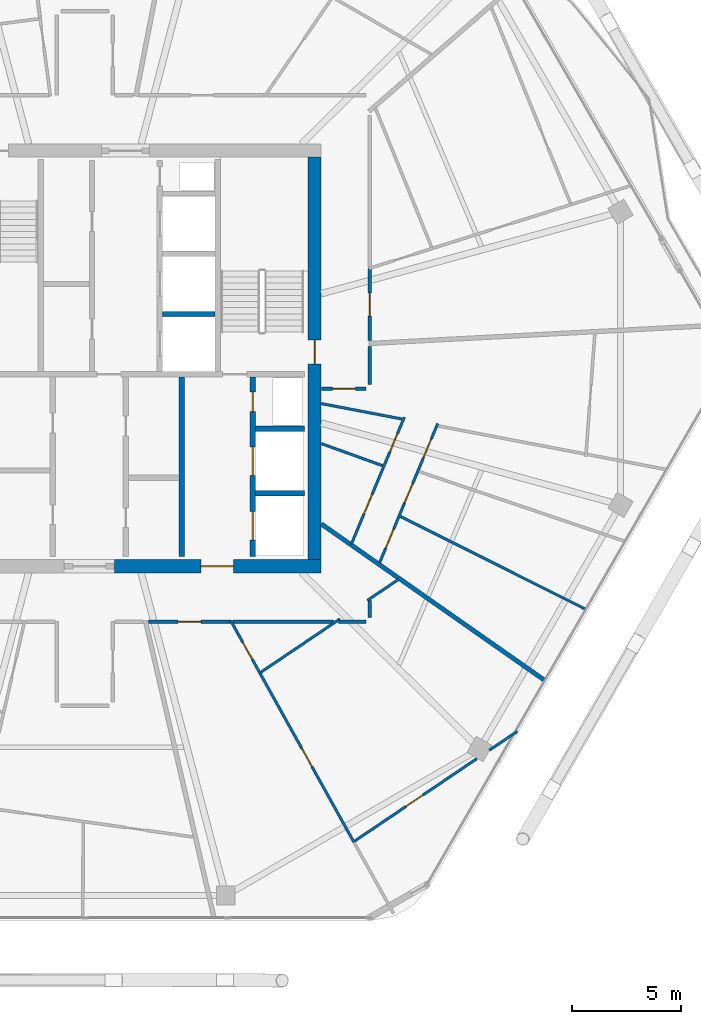
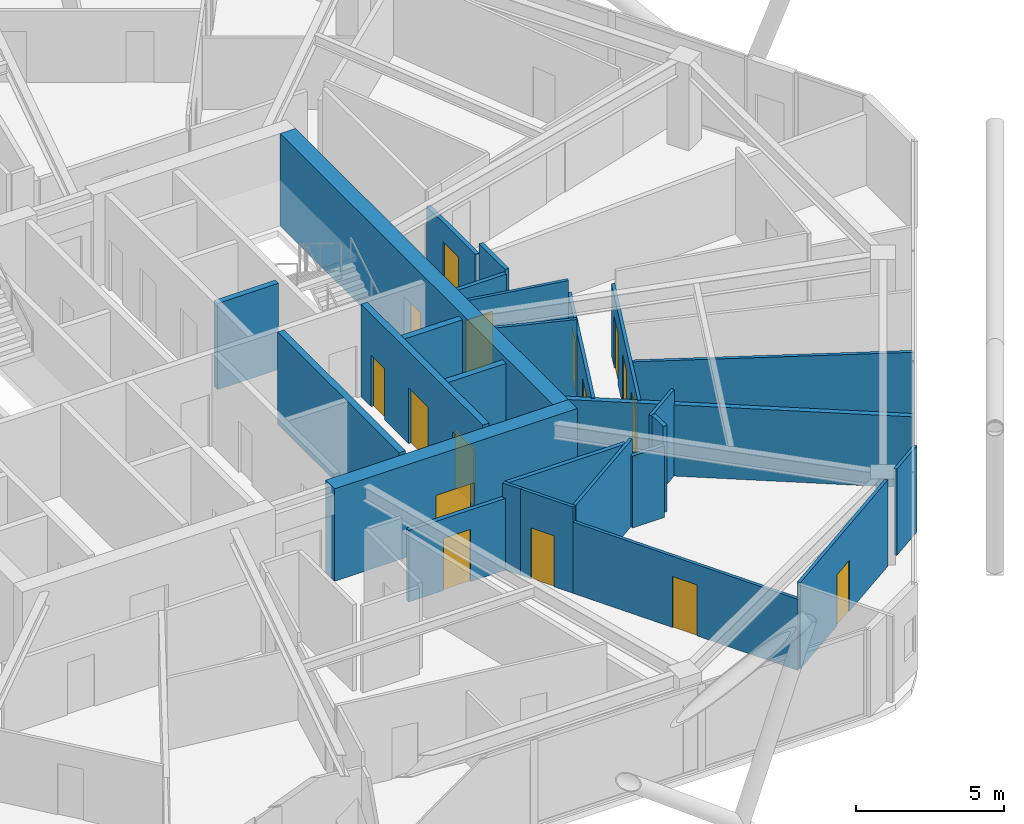
# One storey, part 22 of 28: 27 walls, 16 doors, 16 openings.
"""IFC4 building model written with IfcOpenShell, lengths in metres."""

import ifcopenshell
import ifcopenshell.guid

model = None  # the IFC model being written
_history = None  # IfcOwnerHistory: only IFC2X3 demands one
_inside = {}  # id of a spatial element -> (the spatial element, [elements in it])
_under = {}  # id of a project, library or spatial element -> (it, [spatial elements below it])
_declared = {}  # id of a project -> (the project, [libraries it declares])
_typed = {}  # id of a type object -> (the type object, [elements of that type])
_made_of = {}  # id of a material, layer set ... -> (it, [elements and type objects made of it])


def new_model(schema):
    """Start an empty IFC model of exactly this schema.

    Asked for "IFC4X3", IfcOpenShell would pick the latest addendum, in which some entities
    have other attributes; the version numbers below select the first issue.
    IFC2X3 requires an IfcOwnerHistory on every rooted entity: one is made here for all.
    """
    global model, _history
    if schema == "IFC4X3":
        model = ifcopenshell.file(schema_version=(4, 3, 0, 0))
    else:
        model = ifcopenshell.file(schema=schema)
    _inside.clear()
    _under.clear()
    _declared.clear()
    _typed.clear()
    _made_of.clear()
    _history = None
    if model.schema == "IFC2X3":
        org = make("IfcOrganization", Name="unknown")
        user = make(
            "IfcPersonAndOrganization",
            ThePerson=make("IfcPerson", FamilyName="unknown"),
            TheOrganization=org,
        )
        app = make(
            "IfcApplication",
            ApplicationDeveloper=org,
            Version="unknown",
            ApplicationFullName="unknown",
            ApplicationIdentifier="unknown",
        )
        _history = make(
            "IfcOwnerHistory",
            OwningUser=user,
            OwningApplication=app,
            ChangeAction="ADDED",
            CreationDate=0,
        )
    return model


def make(cls, **values):
    """One entity of the class cls with the attributes given. An attribute that is None is left unset."""
    return model.create_entity(
        cls, **{name: value for name, value in values.items() if value is not None}
    )


def rooted(cls, **values):
    """An entity with a GlobalId (a new one), such as an element, a storey or a relation."""
    return make(cls, GlobalId=ifcopenshell.guid.new(), OwnerHistory=_history, **values)


def si_unit(unit_type, name, prefix=None):
    """IfcSIUnit, for example si_unit("LENGTHUNIT", "METRE", prefix="MILLI")."""
    return make("IfcSIUnit", UnitType=unit_type, Prefix=prefix, Name=name)


def assignment(units):
    """IfcUnitAssignment: the units of a project."""
    return None if units is None else make("IfcUnitAssignment", Units=units)


def point(xyz):
    """IfcCartesianPoint."""
    return None if xyz is None else make("IfcCartesianPoint", Coordinates=xyz)


def direction(xyz):
    """IfcDirection."""
    return None if xyz is None else make("IfcDirection", DirectionRatios=xyz)


def frame(location, z_axis=None, x_axis=None):
    """IfcAxis2Placement3D, a coordinate frame: its origin and axes. An axis left out is left unset."""
    return make(
        "IfcAxis2Placement3D",
        Location=point(location),
        Axis=direction(z_axis),
        RefDirection=direction(x_axis),
    )


def frame_2d(location, x_axis=None):
    """IfcAxis2Placement2D, a coordinate frame in the plane: its origin and x axis."""
    return make(
        "IfcAxis2Placement2D", Location=point(location), RefDirection=direction(x_axis)
    )


def origin():
    """The frame at (0, 0, 0) with its axes left unset."""
    return frame((0.0, 0.0, 0.0))


def place(relative_to, where):
    """IfcLocalPlacement: puts the frame where relative to a parent placement (None: the world)."""
    return make(
        "IfcLocalPlacement", PlacementRelTo=relative_to, RelativePlacement=where
    )


def context(
    kind, dimensions, precision=None, world=None, true_north=None, identifier=None
):
    """IfcGeometricRepresentationContext, for example the 3D "Model" context."""
    return make(
        "IfcGeometricRepresentationContext",
        ContextIdentifier=identifier,
        ContextType=kind,
        CoordinateSpaceDimension=dimensions,
        Precision=precision,
        WorldCoordinateSystem=world,
        TrueNorth=true_north,
    )


def subcontext(parent, identifier, kind, view, scale=None):
    """IfcGeometricRepresentationSubContext, for example "Body" below "Model"."""
    return make(
        "IfcGeometricRepresentationSubContext",
        ContextIdentifier=identifier,
        ContextType=kind,
        ParentContext=parent,
        TargetScale=scale,
        TargetView=view,
    )


def project(units=None, contexts=None):
    """IfcProject with its units and contexts."""
    return rooted(
        "IfcProject",
        Name="project",
        RepresentationContexts=contexts,
        UnitsInContext=assignment(units),
    )


def spatial(cls, under=None, at=None, **own):
    """A site, building, storey or space (cls), placed at a placement, below another one or the project."""
    s = rooted(cls, ObjectPlacement=at, **own)
    if under is not None:
        _under.setdefault(under.id(), (under, []))[1].append(s)
    return s


def profile(cls, at=None, kind="AREA", **sizes):
    """A parametric profile (cls). Its sizes go by their IFC names, for example OverallWidth=200.0."""
    return make(cls, ProfileType=kind, Position=at, **sizes)


def rectangle(**sizes):
    """IfcRectangleProfileDef."""
    return profile("IfcRectangleProfileDef", **sizes)


def extrude(swept, where, along, depth):
    """IfcExtrudedAreaSolid: the profile swept, set in the frame where, extruded along a direction by depth."""
    return make(
        "IfcExtrudedAreaSolid",
        SweptArea=swept,
        Position=where,
        ExtrudedDirection=direction(along),
        Depth=depth,
    )


def shape(context_of_items, identifier, shape_type, items):
    """IfcShapeRepresentation: the items that make up one representation, for example the "Body"."""
    return make(
        "IfcShapeRepresentation",
        ContextOfItems=context_of_items,
        RepresentationIdentifier=identifier,
        RepresentationType=shape_type,
        Items=items,
    )


def material(Name=None, Category=None):
    """IfcMaterial."""
    return make("IfcMaterial", Name=Name, Category=Category)


def layer(
    of_material, thickness, ventilated=None, Name=None, Category=None, Priority=None
):
    """IfcMaterialLayer: one layer of a wall or slab, of a material (None: an air gap)."""
    return make(
        "IfcMaterialLayer",
        Material=of_material,
        LayerThickness=thickness,
        IsVentilated=ventilated,
        Name=Name,
        Category=Category,
        Priority=Priority,
    )


def layer_set(layers, Name=None):
    """IfcMaterialLayerSet."""
    return make("IfcMaterialLayerSet", MaterialLayers=layers, LayerSetName=Name)


def made_of(thing, what):
    """Note that an element or type object is made of a material, layer set ...; save() writes the relation."""
    if what is not None:
        _made_of.setdefault(what.id(), (what, []))[1].append(thing)
    return thing


def type_object(cls, material=None, **own):
    """A type object (cls), such as IfcWallType, which elements share."""
    return made_of(rooted(cls, **own), material)


def element(
    cls,
    number,
    at=None,
    inside=None,
    cuts=None,
    type_object=None,
    material=None,
    context=None,
    identifier="Body",
    shape_type=None,
    held_by="IfcProductDefinitionShape",
    body=None,
    shapes=None,
    **own,
):
    """One element of the class cls, such as IfcWall. Its Tag is "e" and its number.

    at: its placement. inside: the storey or other place that contains it. cuts: it is an
    opening in that element (IfcRelVoidsElement). A single representation is given by context,
    identifier, shape_type and body (its items); several are given by shapes. held_by: the class
    of the entity that holds the representations. save() writes the other relations.
    """
    e = rooted(cls, Tag="e%d" % number, ObjectPlacement=at, **own)
    if body is not None:
        shapes = [shape(context, identifier, shape_type, body)]
    if shapes is not None:
        e.Representation = make(held_by, Representations=shapes)
    if inside is not None:
        _inside.setdefault(inside.id(), (inside, []))[1].append(e)
    if cuts is not None:
        rooted(
            "IfcRelVoidsElement", RelatingBuildingElement=cuts, RelatedOpeningElement=e
        )
    if type_object is not None:
        _typed.setdefault(type_object.id(), (type_object, []))[1].append(e)
    return made_of(e, material)


def fill(opening, filler):
    """IfcRelFillsElement: the door or window that sits in an opening."""
    return rooted(
        "IfcRelFillsElement",
        RelatingOpeningElement=opening,
        RelatedBuildingElement=filler,
    )


def aggregate(whole, parts):
    """IfcRelAggregates: a whole, such as a stair, and the parts it consists of."""
    return rooted("IfcRelAggregates", RelatingObject=whole, RelatedObjects=parts)


def save(model, path):
    """Write the relations noted so far, then the file.

    IfcRelAggregates (storeys below a building ...), IfcRelContainedInSpatialStructure (elements
    in a storey), IfcRelDefinesByType, IfcRelAssociatesMaterial and IfcRelDeclares: one each for
    every whole, place, type object, material and project.
    """
    for whole, parts in _under.values():
        aggregate(whole, parts)
    for where, things in _inside.values():
        rooted(
            "IfcRelContainedInSpatialStructure",
            RelatedElements=things,
            RelatingStructure=where,
        )
    for kind, things in _typed.values():
        rooted("IfcRelDefinesByType", RelatedObjects=things, RelatingType=kind)
    for what, things in _made_of.values():
        rooted("IfcRelAssociatesMaterial", RelatedObjects=things, RelatingMaterial=what)
    for by, libraries in _declared.values():
        rooted("IfcRelDeclares", RelatingContext=by, RelatedDefinitions=libraries)
    model.write(path)


model = new_model("IFC4")

# Units and contexts
model_context = context("Model", 3, precision=1e-05, world=origin(), true_north=direction((0.0, 1.0)))
body_context = subcontext(model_context, "Body", "Model", "MODEL_VIEW")
ifc_project = project(units=[si_unit("LENGTHUNIT", "METRE"), si_unit("AREAUNIT", "SQUARE_METRE"), si_unit("VOLUMEUNIT", "CUBIC_METRE"), si_unit("PLANEANGLEUNIT", "RADIAN"), si_unit("MASSUNIT", "GRAM", prefix="KILO")], contexts=[model_context])

# Site, building, storey
site_placement = place(None, origin())
site = spatial("IfcSite", under=ifc_project, at=site_placement, CompositionType="ELEMENT")
building_placement = place(site_placement, origin())
building = spatial("IfcBuilding", under=site, at=building_placement, Name="Zuhravey Tower", CompositionType="ELEMENT")
storey_placement = place(building_placement, frame((0.0, 0.0, 284.39990234375)))
storey = spatial("IfcBuildingStorey", under=building, at=storey_placement, Name="L72", CompositionType="ELEMENT", Elevation=284.39990234375)

# Wall, opening, door
ifc_material_1 = material(Name="Concrete C50/60", Category="concrete")
ifc_layer_1 = layer(ifc_material_1, 0.60009765625)
ifc_layer_set_1 = layer_set([ifc_layer_1], Name="Concrete C50/60")
wall_type_1 = type_object("IfcWallType", Name="Core Shear Wall 600", PredefinedType="SHEAR", material=ifc_layer_set_1)
wall_1_placement = place(storey_placement, frame((37.35009765625, 22.5, 0.0), z_axis=(0.0, 0.0, 1.0), x_axis=(1.0, 0.0, 0.0)))
wall_1 = element("IfcWall", 1, at=wall_1_placement, inside=storey, type_object=wall_type_1, Name="L72 South-East Core Shear Wall CW60", PredefinedType="SHEAR", context=body_context, shape_type="SweptSolid", body=[
    extrude(rectangle(XDim=9.449951171875, YDim=0.60009765625, at=frame_2d((4.72509765625, 0.0))), origin(), (0.0, 0.0, 1.0), 3.800048828125),
])
opening_1_placement = place(wall_1_placement, frame((3.949951171875, 0.0, 0.0)))
opening_1 = element("IfcOpeningElement", 2, at=opening_1_placement, cuts=wall_1, Name="Opening FFD1", PredefinedType="OPENING", context=body_context, shape_type="SweptSolid", body=[
    extrude(rectangle(XDim=1.5, YDim=2.14990234375, at=frame_2d((0.75, 1.074951171875))), frame((0.0, 0.31201171875, 0.0), z_axis=(0.0, -1.0, 0.0), x_axis=(1.0, 0.0, 0.0)), (0.0, 0.0, 1.0), 0.6240234375),
])
ifc_material_2 = material(Name="Galvanised fire-rated steel leaf", Category="steel")
door_type_1 = type_object("IfcDoorType", Name="Firefighting Lobby Double Door 1500x2150", OperationType="DOUBLE_DOOR_SINGLE_SWING", PredefinedType="DOOR", material=ifc_material_2)
door_1_placement = place(opening_1_placement, origin())
door_1 = element("IfcDoor", 3, at=door_1_placement, inside=storey, type_object=door_type_1, Name="L72 Firefighting Lobby East Door", OperationType="DOUBLE_DOOR_SINGLE_SWING", OverallHeight=2.14990234375, OverallWidth=1.5, PredefinedType="DOOR", context=body_context, shape_type="SweptSolid", body=[
    extrude(rectangle(XDim=1.5, YDim=2.14990234375, at=frame_2d((0.75, 1.074951171875))), frame((0.0, 0.02490234375, 0.0), z_axis=(0.0, -1.0, 0.0), x_axis=(1.0, 0.0, 0.0)), (0.0, 0.0, 1.0), 0.050048828125),
])
fill(opening_1, door_1)

wall_2_placement = place(storey_placement, frame((46.5, 22.800048828125, 0.0), z_axis=(0.0, 0.0, 1.0), x_axis=(0.0, 1.0, 0.0)))
wall_2 = element("IfcWall", 4, at=wall_2_placement, inside=storey, type_object=wall_type_1, Name="L72 East Core Shear Wall CW60", PredefinedType="SHEAR", context=body_context, shape_type="SweptSolid", body=[
    extrude(rectangle(XDim=18.39990234375, YDim=0.60009765625, at=frame_2d((9.199951171875, 0.0))), origin(), (0.0, 0.0, 1.0), 3.800048828125),
])
opening_2_placement = place(wall_2_placement, frame((8.949951171875, 0.0, 0.0)))
opening_2 = element("IfcOpeningElement", 5, at=opening_2_placement, cuts=wall_2, Name="Opening STD1", PredefinedType="OPENING", context=body_context, shape_type="SweptSolid", body=[
    extrude(rectangle(XDim=1.10009765625, YDim=2.14990234375, at=frame_2d((0.550048828125, 1.074951171875))), frame((0.0, 0.31201171875, 0.0), z_axis=(0.0, -1.0, 0.0), x_axis=(1.0, 0.0, 0.0)), (0.0, 0.0, 1.0), 0.6240234375),
])
door_type_2 = type_object("IfcDoorType", Name="Protected Stair Fire Door 1100x2150", OperationType="NOTDEFINED", PredefinedType="USERDEFINED", material=ifc_material_2)
door_2_placement = place(opening_2_placement, origin())
door_2 = element("IfcDoor", 6, at=door_2_placement, inside=storey, type_object=door_type_2, Name="L72 Stair ST2 Door", ObjectType="EXITDOOR", OperationType="SINGLE_SWING_LEFT", OverallHeight=2.14990234375, OverallWidth=1.10009765625, PredefinedType="USERDEFINED", context=body_context, shape_type="SweptSolid", body=[
    extrude(rectangle(XDim=1.10009765625, YDim=2.14990234375, at=frame_2d((0.550048828125, 1.074951171875))), frame((0.0, 0.02490234375, 0.0), z_axis=(0.0, -1.0, 0.0), x_axis=(1.0, 0.0, 0.0)), (0.0, 0.0, 1.0), 0.050048828125),
])
fill(opening_2, door_2)

ifc_material_3 = material(Name="Gypsum fire-rated stud partition")
ifc_layer_2 = layer(ifc_material_3, 0.159912109375)
ifc_layer_set_2 = layer_set([ifc_layer_2], Name="Gypsum fire-rated stud partition")
wall_type_2 = type_object("IfcWallType", Name="Corridor Fire Partition 160", PredefinedType="PARTITIONING", material=ifc_layer_set_2)
wall_3_placement = place(storey_placement, frame((38.90869140625, 19.969970703125, 0.0), z_axis=(0.0, 0.0, 1.0), x_axis=(1.0, 0.0, 0.0)))
wall_3 = element("IfcWall", 7, at=wall_3_placement, inside=storey, type_object=wall_type_2, Name="L72 IW16 Partition 042", PredefinedType="PARTITIONING", context=body_context, shape_type="SweptSolid", body=[
    extrude(rectangle(XDim=3.7587890625, YDim=0.159912109375, at=frame_2d((1.87939453125, 0.0))), origin(), (0.0, 0.0, 1.0), 2.9501953125),
])
opening_3_placement = place(wall_3_placement, frame((1.354248046875, 0.0, 0.0)))
opening_3 = element("IfcOpeningElement", 8, at=opening_3_placement, cuts=wall_3, Name="Opening APD1", PredefinedType="OPENING", context=body_context, shape_type="SweptSolid", body=[
    extrude(rectangle(XDim=1.050048828125, YDim=2.14990234375, at=frame_2d((0.52490234375, 1.074951171875))), frame((0.0, 0.092041015625, 0.0), z_axis=(0.0, -1.0, 0.0), x_axis=(1.0, 0.0, 0.0)), (0.0, 0.0, 1.0), 0.183837890625),
])
ifc_material_4 = material(Name="Solid-core oak fire-rated leaf")
door_type_3 = type_object("IfcDoorType", Name="Apartment Entrance Fire Door 1050x2150", OperationType="NOTDEFINED", PredefinedType="DOOR", material=ifc_material_4)
door_3_placement = place(opening_3_placement, frame((1.050048828125, 0.0, 0.0), z_axis=(0.0, 0.0, 1.0), x_axis=(-1.0, 0.0, 0.0)))
door_3 = element("IfcDoor", 9, at=door_3_placement, inside=storey, type_object=door_type_3, Name="L72 Door 042.1", OperationType="SINGLE_SWING_LEFT", OverallHeight=2.14990234375, OverallWidth=1.050048828125, PredefinedType="DOOR", context=body_context, shape_type="SweptSolid", body=[
    extrude(rectangle(XDim=1.050048828125, YDim=2.14990234375, at=frame_2d((0.52490234375, 1.074951171875))), frame((0.0, 0.02490234375, 0.0), z_axis=(0.0, -1.0, 0.0), x_axis=(1.0, 0.0, 0.0)), (0.0, 0.0, 1.0), 0.050048828125),
])
fill(opening_3, door_3)

wall_4_placement = place(storey_placement, frame((46.820068359375, 30.6201171875, 0.0), z_axis=(0.0, 0.0, 1.0), x_axis=(1.0, 0.0, 0.0)))
wall_4 = element("IfcWall", 10, at=wall_4_placement, inside=storey, type_object=wall_type_2, Name="L72 IW16 Partition 046", PredefinedType="PARTITIONING", context=body_context, shape_type="SweptSolid", body=[
    extrude(rectangle(XDim=2.029296875, YDim=0.159912109375, at=frame_2d((1.0146484375, 0.0))), origin(), (0.0, 0.0, 1.0), 3.550048828125),
])
opening_4_placement = place(wall_4_placement, frame((0.489501953125, 0.0, 0.0)))
opening_4 = element("IfcOpeningElement", 11, at=opening_4_placement, cuts=wall_4, Name="Opening APD1", PredefinedType="OPENING", context=body_context, shape_type="SweptSolid", body=[
    extrude(rectangle(XDim=1.050048828125, YDim=2.14990234375, at=frame_2d((0.52490234375, 1.074951171875))), frame((0.0, 0.092041015625, 0.0), z_axis=(0.0, -1.0, 0.0), x_axis=(1.0, 0.0, 0.0)), (0.0, 0.0, 1.0), 0.183837890625),
])
door_4_placement = place(opening_4_placement, frame((1.050048828125, 0.0, 0.0), z_axis=(0.0, 0.0, 1.0), x_axis=(-1.0, 0.0, 0.0)))
door_4 = element("IfcDoor", 12, at=door_4_placement, inside=storey, type_object=door_type_3, Name="L72 Door 046.1", OperationType="SINGLE_SWING_RIGHT", OverallHeight=2.14990234375, OverallWidth=1.050048828125, PredefinedType="DOOR", context=body_context, shape_type="SweptSolid", body=[
    extrude(rectangle(XDim=1.050048828125, YDim=2.14990234375, at=frame_2d((0.52490234375, 1.074951171875))), frame((0.0, 0.02490234375, 0.0), z_axis=(0.0, -1.0, 0.0), x_axis=(1.0, 0.0, 0.0)), (0.0, 0.0, 1.0), 0.050048828125),
])
fill(opening_4, door_4)

wall_5_placement = place(storey_placement, frame((49.030029296875, 32.81689453125, 0.0), z_axis=(0.0, 0.0, 1.0), x_axis=(0.0, 1.0, 0.0)))
wall_5 = element("IfcWall", 13, at=wall_5_placement, inside=storey, type_object=wall_type_2, Name="L72 IW16 Partition 050", PredefinedType="PARTITIONING", context=body_context, shape_type="SweptSolid", body=[
    extrude(rectangle(XDim=3.285400390625, YDim=0.159912109375, at=frame_2d((1.642578125, 0.0))), origin(), (0.0, 0.0, 1.0), 2.9501953125),
])
opening_5_placement = place(wall_5_placement, frame((1.11767578125, 0.0, 0.0)))
opening_5 = element("IfcOpeningElement", 14, at=opening_5_placement, cuts=wall_5, Name="Opening APD1", PredefinedType="OPENING", context=body_context, shape_type="SweptSolid", body=[
    extrude(rectangle(XDim=1.050048828125, YDim=2.14990234375, at=frame_2d((0.52490234375, 1.074951171875))), frame((0.0, 0.092041015625, 0.0), z_axis=(0.0, -1.0, 0.0), x_axis=(1.0, 0.0, 0.0)), (0.0, 0.0, 1.0), 0.183837890625),
])
door_5_placement = place(opening_5_placement, frame((1.050048828125, 0.0, 0.0), z_axis=(0.0, 0.0, 1.0), x_axis=(-1.0, 0.0, 0.0)))
door_5 = element("IfcDoor", 15, at=door_5_placement, inside=storey, type_object=door_type_3, Name="L72 Door 050.1", OperationType="SINGLE_SWING_RIGHT", OverallHeight=2.14990234375, OverallWidth=1.050048828125, PredefinedType="DOOR", context=body_context, shape_type="SweptSolid", body=[
    extrude(rectangle(XDim=1.050048828125, YDim=2.14990234375, at=frame_2d((0.52490234375, 1.074951171875))), frame((0.0, 0.02490234375, 0.0), z_axis=(0.0, -1.0, 0.0), x_axis=(1.0, 0.0, 0.0)), (0.0, 0.0, 1.0), 0.050048828125),
])
fill(opening_5, door_5)

# Walls
wall_6_placement = place(storey_placement, frame((42.768310546875, 19.969970703125, 0.0), z_axis=(0.0, 0.0, 1.0), x_axis=(1.0, 0.0, 0.0)))
element("IfcWall", 16, at=wall_6_placement, inside=storey, type_object=wall_type_2, Name="L72 IW16 Partition 126", PredefinedType="PARTITIONING", context=body_context, shape_type="SweptSolid", body=[
    extrude(rectangle(XDim=4.591552734375, YDim=0.159912109375, at=frame_2d((2.2958984375, 0.0))), origin(), (0.0, 0.0, 1.0), 3.550048828125),
])
wall_7_placement = place(storey_placement, frame((47.60302734375, 19.969970703125, 0.0), z_axis=(0.0, 0.0, 1.0), x_axis=(1.0, 0.0, 0.0)))
element("IfcWall", 17, at=wall_7_placement, inside=storey, type_object=wall_type_2, Name="L72 IW16 Partition 127", PredefinedType="PARTITIONING", context=body_context, shape_type="SweptSolid", body=[
    extrude(rectangle(XDim=1.2470703125, YDim=0.159912109375, at=frame_2d((0.62353515625, 0.0))), origin(), (0.0, 0.0, 1.0), 2.9501953125),
])
wall_8_placement = place(storey_placement, frame((49.030029296875, 20.14990234375, 0.0), z_axis=(0.0, 0.0, 1.0), x_axis=(0.0, 1.0, 0.0)))
element("IfcWall", 18, at=wall_8_placement, inside=storey, type_object=wall_type_2, Name="L72 IW16 Partition 128", PredefinedType="PARTITIONING", context=body_context, shape_type="SweptSolid", body=[
    extrude(rectangle(XDim=0.78271484375, YDim=0.159912109375, at=frame_2d((0.391357421875, 0.0))), origin(), (0.0, 0.0, 1.0), 3.550048828125),
])
wall_9_placement = place(storey_placement, frame((49.030029296875, 30.80078125, 0.0), z_axis=(0.0, 0.0, 1.0), x_axis=(0.0, 1.0, 0.0)))
element("IfcWall", 19, at=wall_9_placement, inside=storey, type_object=wall_type_2, Name="L72 IW16 Partition 129", PredefinedType="PARTITIONING", context=body_context, shape_type="SweptSolid", body=[
    extrude(rectangle(XDim=1.748046875, YDim=0.159912109375, at=frame_2d((0.8740234375, 0.0))), origin(), (0.0, 0.0, 1.0), 3.550048828125),
])
ifc_layer_3 = layer(ifc_material_1, 0.25)
ifc_layer_set_3 = layer_set([ifc_layer_3], Name="Concrete C50/60")
wall_type_3 = type_object("IfcWallType", Name="Firefighting Shaft & Stair Wall 250", PredefinedType="SOLIDWALL", material=ifc_layer_set_3)
wall_10_placement = place(storey_placement, frame((40.425048828125, 22.949951171875, 0.0), z_axis=(0.0, 0.0, 1.0), x_axis=(0.0, 1.0, 0.0)))
element("IfcWall", 20, at=wall_10_placement, inside=storey, type_object=wall_type_3, Name="L72 FW25 Shaft Wall 017", PredefinedType="SOLIDWALL", context=body_context, shape_type="SweptSolid", body=[
    extrude(rectangle(XDim=8.199951171875, YDim=0.25, at=frame_2d((4.10009765625, 0.0))), origin(), (0.0, 0.0, 1.0), 3.800048828125),
])
for number, where, z_axis, x_axis, name in (
    (21, (43.800048828125, 25.824951171875, 0.0), (0.0, 0.0, 1.0), (1.0, 0.0, 0.0), "L72 FW25 Shaft Wall 018"),
    (22, (43.800048828125, 28.77490234375, 0.0), (0.0, 0.0, 1.0), (1.0, 0.0, 0.0), "L72 FW25 Shaft Wall 019"),
):
    element("IfcWall", number, at=place(storey_placement, frame(where, z_axis=z_axis, x_axis=x_axis)), inside=storey, type_object=wall_type_3, Name=name, PredefinedType="SOLIDWALL", context=body_context, shape_type="SweptSolid", body=[
        extrude(rectangle(XDim=2.25, YDim=0.25, at=frame_2d((1.125, 0.0))), origin(), (0.0, 0.0, 1.0), 3.800048828125),
    ])

# Wall, openings, doors
wall_11_placement = place(storey_placement, frame((43.675048828125, 22.949951171875, 0.0), z_axis=(0.0, 0.0, 1.0), x_axis=(0.0, 1.0, 0.0)))
wall_11 = element("IfcWall", 23, at=wall_11_placement, inside=storey, type_object=wall_type_3, Name="L72 FW25 Shaft Wall 020", PredefinedType="SOLIDWALL", context=body_context, shape_type="SweptSolid", body=[
    extrude(rectangle(XDim=8.199951171875, YDim=0.25, at=frame_2d((4.10009765625, 0.0))), origin(), (0.0, 0.0, 1.0), 3.800048828125),
])
opening_6_placement = place(wall_11_placement, frame((0.75, 0.0, 0.0)))
opening_6 = element("IfcOpeningElement", 24, at=opening_6_placement, cuts=wall_11, Name="Opening LD2", PredefinedType="OPENING", context=body_context, shape_type="SweptSolid", body=[
    extrude(rectangle(XDim=1.300048828125, YDim=2.300048828125, at=frame_2d((0.64990234375, 1.14990234375))), frame((0.0, 0.136962890625, 0.0), z_axis=(0.0, -1.0, 0.0), x_axis=(1.0, 0.0, 0.0)), (0.0, 0.0, 1.0), 0.27392578125),
])
opening_7_placement = place(wall_11_placement, frame((3.699951171875, 0.0, 0.0)))
opening_7 = element("IfcOpeningElement", 25, at=opening_7_placement, cuts=wall_11, Name="Opening LD2", PredefinedType="OPENING", context=body_context, shape_type="SweptSolid", body=[
    extrude(rectangle(XDim=1.300048828125, YDim=2.300048828125, at=frame_2d((0.64990234375, 1.14990234375))), frame((0.0, 0.136962890625, 0.0), z_axis=(0.0, -1.0, 0.0), x_axis=(1.0, 0.0, 0.0)), (0.0, 0.0, 1.0), 0.27392578125),
])
opening_8_placement = place(wall_11_placement, frame((6.6201171875, 0.0, 0.0)))
opening_8 = element("IfcOpeningElement", 26, at=opening_8_placement, cuts=wall_11, Name="Opening RSD1", PredefinedType="OPENING", context=body_context, shape_type="SweptSolid", body=[
    extrude(rectangle(XDim=0.89990234375, YDim=2.10009765625, at=frame_2d((0.449951171875, 1.050048828125))), frame((0.0, 0.136962890625, 0.0), z_axis=(0.0, -1.0, 0.0), x_axis=(1.0, 0.0, 0.0)), (0.0, 0.0, 1.0), 0.27392578125),
])
ifc_material_5 = material(Name="Brushed stainless steel", Category="steel")
door_type_4 = type_object("IfcDoorType", Name="Freight & Stretcher Lift Sliding Door 1300x2300", OperationType="DOUBLE_DOOR_SLIDING", PredefinedType="DOOR", material=ifc_material_5)
door_6_placement = place(opening_6_placement, origin())
door_6 = element("IfcDoor", 27, at=door_6_placement, inside=storey, type_object=door_type_4, Name="L72 Lift FF2 Landing Door", OperationType="DOUBLE_DOOR_SLIDING", OverallHeight=2.300048828125, OverallWidth=1.300048828125, PredefinedType="DOOR", context=body_context, shape_type="SweptSolid", body=[
    extrude(rectangle(XDim=1.300048828125, YDim=2.300048828125, at=frame_2d((0.64990234375, 1.14990234375))), frame((0.0, 0.02490234375, 0.0), z_axis=(0.0, -1.0, 0.0), x_axis=(1.0, 0.0, 0.0)), (0.0, 0.0, 1.0), 0.050048828125),
])
fill(opening_6, door_6)
door_7_placement = place(opening_7_placement, origin())
door_7 = element("IfcDoor", 28, at=door_7_placement, inside=storey, type_object=door_type_4, Name="L72 Lift SV1 Landing Door", OperationType="DOUBLE_DOOR_SLIDING", OverallHeight=2.300048828125, OverallWidth=1.300048828125, PredefinedType="DOOR", context=body_context, shape_type="SweptSolid", body=[
    extrude(rectangle(XDim=1.300048828125, YDim=2.300048828125, at=frame_2d((0.64990234375, 1.14990234375))), frame((0.0, 0.02490234375, 0.0), z_axis=(0.0, -1.0, 0.0), x_axis=(1.0, 0.0, 0.0)), (0.0, 0.0, 1.0), 0.050048828125),
])
fill(opening_7, door_7)
ifc_material_6 = material(Name="Galvanised fire-rated steel access leaf", Category="steel")
door_type_5 = type_object("IfcDoorType", Name="Riser & Shaft Access Fire Door 900x2100", OperationType="NOTDEFINED", PredefinedType="DOOR", material=ifc_material_6)
door_8_placement = place(opening_8_placement, origin())
door_8 = element("IfcDoor", 29, at=door_8_placement, inside=storey, type_object=door_type_5, Name="L72 Plumbing Riser Door", OperationType="SINGLE_SWING_LEFT", OverallHeight=2.10009765625, OverallWidth=0.89990234375, PredefinedType="DOOR", context=body_context, shape_type="SweptSolid", body=[
    extrude(rectangle(XDim=0.89990234375, YDim=2.10009765625, at=frame_2d((0.449951171875, 1.050048828125))), frame((0.0, 0.02490234375, 0.0), z_axis=(0.0, -1.0, 0.0), x_axis=(1.0, 0.0, 0.0)), (0.0, 0.0, 1.0), 0.050048828125),
])
fill(opening_8, door_8)

# Walls
ifc_material_7 = material(Name="Gypsum double-stud party assembly")
ifc_layer_4 = layer(ifc_material_7, 0.199951171875)
ifc_layer_set_4 = layer_set([ifc_layer_4], Name="Gypsum double-stud party assembly")
wall_type_4 = type_object("IfcWallType", Name="Inter-Tenancy Party Wall 200", PredefinedType="PARTITIONING", material=ifc_layer_set_4)
wall_12_placement = place(storey_placement, frame((46.80810546875, 24.43212890625, 0.0), z_axis=(0.0, 0.0, 1.0), x_axis=(0.819149112162, -0.57358062384, 0.0)))
element("IfcWall", 30, at=wall_12_placement, inside=storey, type_object=wall_type_4, Name="L72 IW20 Partition 091", PredefinedType="PARTITIONING", context=body_context, shape_type="SweptSolid", body=[
    extrude(rectangle(XDim=12.467041015625, YDim=0.199951171875, at=frame_2d((6.2333984375, 0.0))), origin(), (0.0, 0.0, 1.0), 2.93017578125),
])
ifc_material_8 = material(Name="Gypsum acoustic stud assembly")
ifc_layer_5 = layer(ifc_material_8, 0.219970703125)
ifc_layer_set_5 = layer_set([ifc_layer_5], Name="Gypsum acoustic stud assembly")
wall_type_5 = type_object("IfcWallType", Name="School Acoustic Compartment Wall 220", PredefinedType="PARTITIONING", material=ifc_layer_set_5)
wall_13_placement = place(storey_placement, frame((39.55810546875, 34.02490234375, 0.0), z_axis=(0.0, 0.0, 1.0), x_axis=(1.0, 0.0, 0.0)))
element("IfcWall", 31, at=wall_13_placement, inside=storey, type_object=wall_type_5, Name="L72 IW22 Partition 067", PredefinedType="PARTITIONING", context=body_context, shape_type="SweptSolid", body=[
    extrude(rectangle(XDim=2.3837890625, YDim=0.219970703125, at=frame_2d((1.19189453125, 0.0))), origin(), (0.0, 0.0, 1.0), 3.550048828125),
])

# Wall, opening, door
ifc_material_9 = material(Name="Gypsum metal-stud partition")
ifc_layer_6 = layer(ifc_material_9, 0.1201171875)
ifc_layer_set_6 = layer_set([ifc_layer_6], Name="Gypsum metal-stud partition")
wall_type_6 = type_object("IfcWallType", Name="Unit Internal Partition 120", PredefinedType="PARTITIONING", material=ifc_layer_set_6)
wall_14_placement = place(storey_placement, frame((43.00732421875, 19.39990234375, 0.0), z_axis=(0.0, 0.0, 1.0), x_axis=(0.48609530241, -0.873905805551, 0.0)))
wall_14 = element("IfcWall", 32, at=wall_14_placement, inside=storey, type_object=wall_type_6, Name="L72 IW12 Partition 039", PredefinedType="PARTITIONING", context=body_context, shape_type="SweptSolid", body=[
    extrude(rectangle(XDim=2.061767578125, YDim=0.1201171875, at=frame_2d((1.03076171875, 0.0))), origin(), (0.0, 0.0, 1.0), 3.550048828125),
])
opening_9_placement = place(wall_14_placement, frame((0.416015625, 0.0, 0.0)))
opening_9 = element("IfcOpeningElement", 33, at=opening_9_placement, cuts=wall_14, Name="Opening WCD1", PredefinedType="OPENING", context=body_context, shape_type="SweptSolid", body=[
    extrude(rectangle(XDim=0.89990234375, YDim=2.10009765625, at=frame_2d((0.449951171875, 1.050048828125))), frame((0.0, 0.072021484375, 0.0), z_axis=(0.0, -1.0, 0.0), x_axis=(1.0, 0.0, 0.0)), (0.0, 0.0, 1.0), 0.14404296875),
])
ifc_material_10 = material(Name="Moisture-resistant timber leaf", Category="wood")
door_type_6 = type_object("IfcDoorType", Name="Bathroom & WC Internal Door 900x2100", OperationType="NOTDEFINED", PredefinedType="DOOR", material=ifc_material_10)
door_9_placement = place(opening_9_placement, origin())
door_9 = element("IfcDoor", 34, at=door_9_placement, inside=storey, type_object=door_type_6, Name="Apartment L72-04 Bathroom Door", OperationType="SINGLE_SWING_RIGHT", OverallHeight=2.10009765625, OverallWidth=0.89990234375, PredefinedType="DOOR", context=body_context, shape_type="SweptSolid", body=[
    extrude(rectangle(XDim=0.89990234375, YDim=2.10009765625, at=frame_2d((0.449951171875, 1.050048828125))), frame((0.0, 0.02490234375, 0.0), z_axis=(0.0, -1.0, 0.0), x_axis=(1.0, 0.0, 0.0)), (0.0, 0.0, 1.0), 0.050048828125),
])
fill(opening_9, door_9)

wall_15_placement = place(storey_placement, frame((44.009521484375, 17.59814453125, 0.0), z_axis=(0.0, 0.0, 1.0), x_axis=(0.486020933701, -0.873947167742, 0.0)))
wall_15 = element("IfcWall", 35, at=wall_15_placement, inside=storey, type_object=wall_type_6, Name="L72 IW12 Partition 040", PredefinedType="PARTITIONING", context=body_context, shape_type="SweptSolid", body=[
    extrude(rectangle(XDim=8.827880859375, YDim=0.1201171875, at=frame_2d((4.4140625, 0.0))), origin(), (0.0, 0.0, 1.0), 2.93017578125),
])
opening_10_placement = place(wall_15_placement, frame((3.913818359375, 0.0, 0.0)))
opening_10 = element("IfcOpeningElement", 36, at=opening_10_placement, cuts=wall_15, Name="Opening IND1", PredefinedType="OPENING", context=body_context, shape_type="SweptSolid", body=[
    extrude(rectangle(XDim=0.949951171875, YDim=2.10009765625, at=frame_2d((0.47509765625, 1.050048828125))), frame((0.0, 0.072021484375, 0.0), z_axis=(0.0, -1.0, 0.0), x_axis=(1.0, 0.0, 0.0)), (0.0, 0.0, 1.0), 0.14404296875),
])
ifc_material_11 = material(Name="Painted engineered timber leaf", Category="wood")
door_type_7 = type_object("IfcDoorType", Name="Internal Room & Bedroom Door 950x2100", OperationType="NOTDEFINED", PredefinedType="DOOR", material=ifc_material_11)
door_10_placement = place(opening_10_placement, origin())
door_10 = element("IfcDoor", 37, at=door_10_placement, inside=storey, type_object=door_type_7, Name="Apartment L72-04 Home Office Door", OperationType="SINGLE_SWING_LEFT", OverallHeight=2.10009765625, OverallWidth=0.949951171875, PredefinedType="DOOR", context=body_context, shape_type="SweptSolid", body=[
    extrude(rectangle(XDim=0.949951171875, YDim=2.10009765625, at=frame_2d((0.47509765625, 1.050048828125))), frame((0.0, 0.02490234375, 0.0), z_axis=(0.0, -1.0, 0.0), x_axis=(1.0, 0.0, 0.0)), (0.0, 0.0, 1.0), 0.050048828125),
])
fill(opening_10, door_10)

wall_16_placement = place(storey_placement, frame((48.344482421875, 9.943115234375, 0.0), z_axis=(0.0, 0.0, 1.0), x_axis=(0.829047449098, 0.559178260614, 0.0)))
wall_16 = element("IfcWall", 38, at=wall_16_placement, inside=storey, type_object=wall_type_6, Name="L72 IW12 Partition 041", PredefinedType="PARTITIONING", context=body_context, shape_type="SweptSolid", body=[
    extrude(rectangle(XDim=6.718994140625, YDim=0.1201171875, at=frame_2d((3.359375, 0.0))), origin(), (0.0, 0.0, 1.0), 3.550048828125),
])
opening_11_placement = place(wall_16_placement, frame((2.800048828125, 0.0, 0.0)))
opening_11 = element("IfcOpeningElement", 39, at=opening_11_placement, cuts=wall_16, Name="Opening IND1", PredefinedType="OPENING", context=body_context, shape_type="SweptSolid", body=[
    extrude(rectangle(XDim=0.949951171875, YDim=2.10009765625, at=frame_2d((0.47509765625, 1.050048828125))), frame((0.0, 0.072021484375, 0.0), z_axis=(0.0, -1.0, 0.0), x_axis=(1.0, 0.0, 0.0)), (0.0, 0.0, 1.0), 0.14404296875),
])
door_11_placement = place(opening_11_placement, frame((0.949951171875, 0.0, 0.0), z_axis=(0.0, 0.0, 1.0), x_axis=(-1.0, 0.0, 0.0)))
door_11 = element("IfcDoor", 40, at=door_11_placement, inside=storey, type_object=door_type_7, Name="Apartment L72-04 Bedroom 1 Door", OperationType="SINGLE_SWING_RIGHT", OverallHeight=2.10009765625, OverallWidth=0.949951171875, PredefinedType="DOOR", context=body_context, shape_type="SweptSolid", body=[
    extrude(rectangle(XDim=0.949951171875, YDim=2.10009765625, at=frame_2d((0.47509765625, 1.050048828125))), frame((0.0, 0.02490234375, 0.0), z_axis=(0.0, -1.0, 0.0), x_axis=(1.0, 0.0, 0.0)), (0.0, 0.0, 1.0), 0.050048828125),
])
fill(opening_11, door_11)

# Wall, openings, doors
wall_17_placement = place(storey_placement, frame((48.179931640625, 23.507568359375, 0.0), z_axis=(0.0, 0.0, 1.0), x_axis=(0.385271359417, 0.922803326616, 0.0)))
wall_17 = element("IfcWall", 41, at=wall_17_placement, inside=storey, type_object=wall_type_6, Name="L72 IW12 Partition 044", PredefinedType="PARTITIONING", context=body_context, shape_type="SweptSolid", body=[
    extrude(rectangle(XDim=6.28857421875, YDim=0.1201171875, at=frame_2d((3.144287109375, 0.0))), origin(), (0.0, 0.0, 1.0), 2.9501953125),
])
opening_12_placement = place(wall_17_placement, frame((1.50830078125, 0.0, 0.0)))
opening_12 = element("IfcOpeningElement", 42, at=opening_12_placement, cuts=wall_17, Name="Opening IND1", PredefinedType="OPENING", context=body_context, shape_type="SweptSolid", body=[
    extrude(rectangle(XDim=0.949951171875, YDim=2.10009765625, at=frame_2d((0.47509765625, 1.050048828125))), frame((0.0, 0.072021484375, 0.0), z_axis=(0.0, -1.0, 0.0), x_axis=(1.0, 0.0, 0.0)), (0.0, 0.0, 1.0), 0.14404296875),
])
opening_13_placement = place(wall_17_placement, frame((4.575439453125, 0.0, 0.0)))
opening_13 = element("IfcOpeningElement", 43, at=opening_13_placement, cuts=wall_17, Name="Opening WCD1", PredefinedType="OPENING", context=body_context, shape_type="SweptSolid", body=[
    extrude(rectangle(XDim=0.89990234375, YDim=2.10009765625, at=frame_2d((0.449951171875, 1.050048828125))), frame((0.0, 0.072021484375, 0.0), z_axis=(0.0, -1.0, 0.0), x_axis=(1.0, 0.0, 0.0)), (0.0, 0.0, 1.0), 0.14404296875),
])
door_12_placement = place(opening_13_placement, origin())
door_12 = element("IfcDoor", 44, at=door_12_placement, inside=storey, type_object=door_type_6, Name="Apartment L72-05 Bathroom Door", OperationType="SINGLE_SWING_RIGHT", OverallHeight=2.10009765625, OverallWidth=0.89990234375, PredefinedType="DOOR", context=body_context, shape_type="SweptSolid", body=[
    extrude(rectangle(XDim=0.89990234375, YDim=2.10009765625, at=frame_2d((0.449951171875, 1.050048828125))), frame((0.0, 0.02490234375, 0.0), z_axis=(0.0, -1.0, 0.0), x_axis=(1.0, 0.0, 0.0)), (0.0, 0.0, 1.0), 0.050048828125),
])
fill(opening_13, door_12)
door_13_placement = place(opening_12_placement, origin())
door_13 = element("IfcDoor", 45, at=door_13_placement, inside=storey, type_object=door_type_7, Name="Apartment L72-05 Kitchen Door", OperationType="SINGLE_SWING_LEFT", OverallHeight=2.10009765625, OverallWidth=0.949951171875, PredefinedType="DOOR", context=body_context, shape_type="SweptSolid", body=[
    extrude(rectangle(XDim=0.949951171875, YDim=2.10009765625, at=frame_2d((0.47509765625, 1.050048828125))), frame((0.0, 0.02490234375, 0.0), z_axis=(0.0, -1.0, 0.0), x_axis=(1.0, 0.0, 0.0)), (0.0, 0.0, 1.0), 0.050048828125),
])
fill(opening_12, door_13)

wall_18_placement = place(storey_placement, frame((49.4599609375, 22.6279296875, 0.0), z_axis=(0.0, 0.0, 1.0), x_axis=(0.385248544759, 0.922812851428, 0.0)))
wall_18 = element("IfcWall", 46, at=wall_18_placement, inside=storey, type_object=wall_type_6, Name="L72 IW12 Partition 045", PredefinedType="PARTITIONING", context=body_context, shape_type="SweptSolid", body=[
    extrude(rectangle(XDim=6.926025390625, YDim=0.1201171875, at=frame_2d((3.462890625, 0.0))), origin(), (0.0, 0.0, 1.0), 2.9501953125),
])
opening_14_placement = place(wall_18_placement, frame((0.75341796875, 0.0, 0.0)))
opening_14 = element("IfcOpeningElement", 47, at=opening_14_placement, cuts=wall_18, Name="Opening IND1", PredefinedType="OPENING", context=body_context, shape_type="SweptSolid", body=[
    extrude(rectangle(XDim=0.949951171875, YDim=2.10009765625, at=frame_2d((0.47509765625, 1.050048828125))), frame((0.0, 0.072021484375, 0.0), z_axis=(0.0, -1.0, 0.0), x_axis=(1.0, 0.0, 0.0)), (0.0, 0.0, 1.0), 0.14404296875),
])
opening_15_placement = place(wall_18_placement, frame((2.988037109375, 0.0, 0.0)))
opening_15 = element("IfcOpeningElement", 48, at=opening_15_placement, cuts=wall_18, Name="Opening IND1", PredefinedType="OPENING", context=body_context, shape_type="SweptSolid", body=[
    extrude(rectangle(XDim=0.949951171875, YDim=2.10009765625, at=frame_2d((0.47509765625, 1.050048828125))), frame((0.0, 0.072021484375, 0.0), z_axis=(0.0, -1.0, 0.0), x_axis=(1.0, 0.0, 0.0)), (0.0, 0.0, 1.0), 0.14404296875),
])
opening_16_placement = place(wall_18_placement, frame((5.222412109375, 0.0, 0.0)))
opening_16 = element("IfcOpeningElement", 49, at=opening_16_placement, cuts=wall_18, Name="Opening IND1", PredefinedType="OPENING", context=body_context, shape_type="SweptSolid", body=[
    extrude(rectangle(XDim=0.949951171875, YDim=2.10009765625, at=frame_2d((0.47509765625, 1.050048828125))), frame((0.0, 0.072021484375, 0.0), z_axis=(0.0, -1.0, 0.0), x_axis=(1.0, 0.0, 0.0)), (0.0, 0.0, 1.0), 0.14404296875),
])
door_14_placement = place(opening_14_placement, frame((0.949951171875, 0.0, 0.0), z_axis=(0.0, 0.0, 1.0), x_axis=(-1.0, 0.0, 0.0)))
door_14 = element("IfcDoor", 50, at=door_14_placement, inside=storey, type_object=door_type_7, Name="Apartment L72-05 Bedroom 1 Door", OperationType="SINGLE_SWING_LEFT", OverallHeight=2.10009765625, OverallWidth=0.949951171875, PredefinedType="DOOR", context=body_context, shape_type="SweptSolid", body=[
    extrude(rectangle(XDim=0.949951171875, YDim=2.10009765625, at=frame_2d((0.47509765625, 1.050048828125))), frame((0.0, 0.02490234375, 0.0), z_axis=(0.0, -1.0, 0.0), x_axis=(1.0, 0.0, 0.0)), (0.0, 0.0, 1.0), 0.050048828125),
])
fill(opening_14, door_14)
door_15_placement = place(opening_15_placement, frame((0.949951171875, 0.0, 0.0), z_axis=(0.0, 0.0, 1.0), x_axis=(-1.0, 0.0, 0.0)))
door_15 = element("IfcDoor", 51, at=door_15_placement, inside=storey, type_object=door_type_7, Name="Apartment L72-05 Bedroom 2 Door", OperationType="SINGLE_SWING_RIGHT", OverallHeight=2.10009765625, OverallWidth=0.949951171875, PredefinedType="DOOR", context=body_context, shape_type="SweptSolid", body=[
    extrude(rectangle(XDim=0.949951171875, YDim=2.10009765625, at=frame_2d((0.47509765625, 1.050048828125))), frame((0.0, 0.02490234375, 0.0), z_axis=(0.0, -1.0, 0.0), x_axis=(1.0, 0.0, 0.0)), (0.0, 0.0, 1.0), 0.050048828125),
])
fill(opening_15, door_15)
door_16_placement = place(opening_16_placement, frame((0.949951171875, 0.0, 0.0), z_axis=(0.0, 0.0, 1.0), x_axis=(-1.0, 0.0, 0.0)))
door_16 = element("IfcDoor", 52, at=door_16_placement, inside=storey, type_object=door_type_7, Name="Apartment L72-05 Bedroom 3 Door", OperationType="SINGLE_SWING_LEFT", OverallHeight=2.10009765625, OverallWidth=0.949951171875, PredefinedType="DOOR", context=body_context, shape_type="SweptSolid", body=[
    extrude(rectangle(XDim=0.949951171875, YDim=2.10009765625, at=frame_2d((0.47509765625, 1.050048828125))), frame((0.0, 0.02490234375, 0.0), z_axis=(0.0, -1.0, 0.0), x_axis=(1.0, 0.0, 0.0)), (0.0, 0.0, 1.0), 0.050048828125),
])
fill(opening_16, door_16)

# Walls
wall_19_placement = place(storey_placement, frame((42.66748046875, 20.01123046875, 0.0), z_axis=(0.0, 0.0, 1.0), x_axis=(0.485880005056, -0.874025526336, 0.0)))
element("IfcWall", 53, at=wall_19_placement, inside=storey, type_object=wall_type_6, Name="L72 IW12 Partition 086", PredefinedType="PARTITIONING", context=body_context, shape_type="SweptSolid", body=[
    extrude(rectangle(XDim=0.699462890625, YDim=0.1201171875, at=frame_2d((0.349609375, 0.0))), origin(), (0.0, 0.0, 1.0), 3.550048828125),
])
wall_20_placement = place(storey_placement, frame((44.053955078125, 17.658203125, 0.0), z_axis=(0.0, 0.0, 1.0), x_axis=(0.829023707323, 0.559213458973, 0.0)))
element("IfcWall", 54, at=wall_20_placement, inside=storey, type_object=wall_type_6, Name="L72 IW12 Partition 088", PredefinedType="PARTITIONING", context=body_context, shape_type="SweptSolid", body=[
    extrude(rectangle(XDim=4.348876953125, YDim=0.1201171875, at=frame_2d((2.17431640625, 0.0))), origin(), (0.0, 0.0, 1.0), 3.550048828125),
])
wall_21_placement = place(storey_placement, frame((48.909912109375, 20.93359375, 0.0), z_axis=(0.0, 0.0, 1.0), x_axis=(0.829049195255, 0.559175671723, 0.0)))
element("IfcWall", 55, at=wall_21_placement, inside=storey, type_object=wall_type_6, Name="L72 IW12 Partition 089", PredefinedType="PARTITIONING", context=body_context, shape_type="SweptSolid", body=[
    extrude(rectangle(XDim=1.721435546875, YDim=0.1201171875, at=frame_2d((0.86083984375, 0.0))), origin(), (0.0, 0.0, 1.0), 3.550048828125),
])
wall_22_placement = place(storey_placement, frame((54.488525390625, 14.08740234375, 0.0), z_axis=(0.0, 0.0, 1.0), x_axis=(0.829114812238, 0.559078373868, 0.0)))
element("IfcWall", 56, at=wall_22_placement, inside=storey, type_object=wall_type_6, Name="L72 IW12 Partition 090", PredefinedType="PARTITIONING", context=body_context, shape_type="SweptSolid", body=[
    extrude(rectangle(XDim=1.54150390625, YDim=0.1201171875, at=frame_2d((0.770751953125, 0.0))), origin(), (0.0, 0.0, 1.0), 3.550048828125),
])
wall_23_placement = place(storey_placement, frame((46.80810546875, 28.10498046875, 0.0), z_axis=(0.0, 0.0, 1.0), x_axis=(0.940760677373, -0.339071302101, 0.0)))
element("IfcWall", 57, at=wall_23_placement, inside=storey, type_object=wall_type_6, Name="L72 IW12 Partition 092", PredefinedType="PARTITIONING", context=body_context, shape_type="SweptSolid", body=[
    extrude(rectangle(XDim=2.972900390625, YDim=0.1201171875, at=frame_2d((1.486328125, 0.0))), origin(), (0.0, 0.0, 1.0), 3.550048828125),
])
wall_24_placement = place(storey_placement, frame((50.428955078125, 24.7724609375, 0.0), z_axis=(0.0, 0.0, 1.0), x_axis=(0.894097326917, -0.447872716294, 0.0)))
element("IfcWall", 58, at=wall_24_placement, inside=storey, type_object=wall_type_6, Name="L72 IW12 Partition 093", PredefinedType="PARTITIONING", context=body_context, shape_type="SweptSolid", body=[
    extrude(rectangle(XDim=9.48046875, YDim=0.1201171875, at=frame_2d((4.740234375, 0.0))), origin(), (0.0, 0.0, 1.0), 2.93017578125),
])
wall_25_placement = place(storey_placement, frame((46.80810546875, 29.934326171875, 0.0), z_axis=(0.0, 0.0, 1.0), x_axis=(0.982225672126, -0.187703833251, 0.0)))
element("IfcWall", 59, at=wall_25_placement, inside=storey, type_object=wall_type_6, Name="L72 IW12 Partition 095", PredefinedType="PARTITIONING", context=body_context, shape_type="SweptSolid", body=[
    extrude(rectangle(XDim=3.753662109375, YDim=0.1201171875, at=frame_2d((1.876953125, 0.0))), origin(), (0.0, 0.0, 1.0), 3.550048828125),
])

save(model, "model.ifc")
